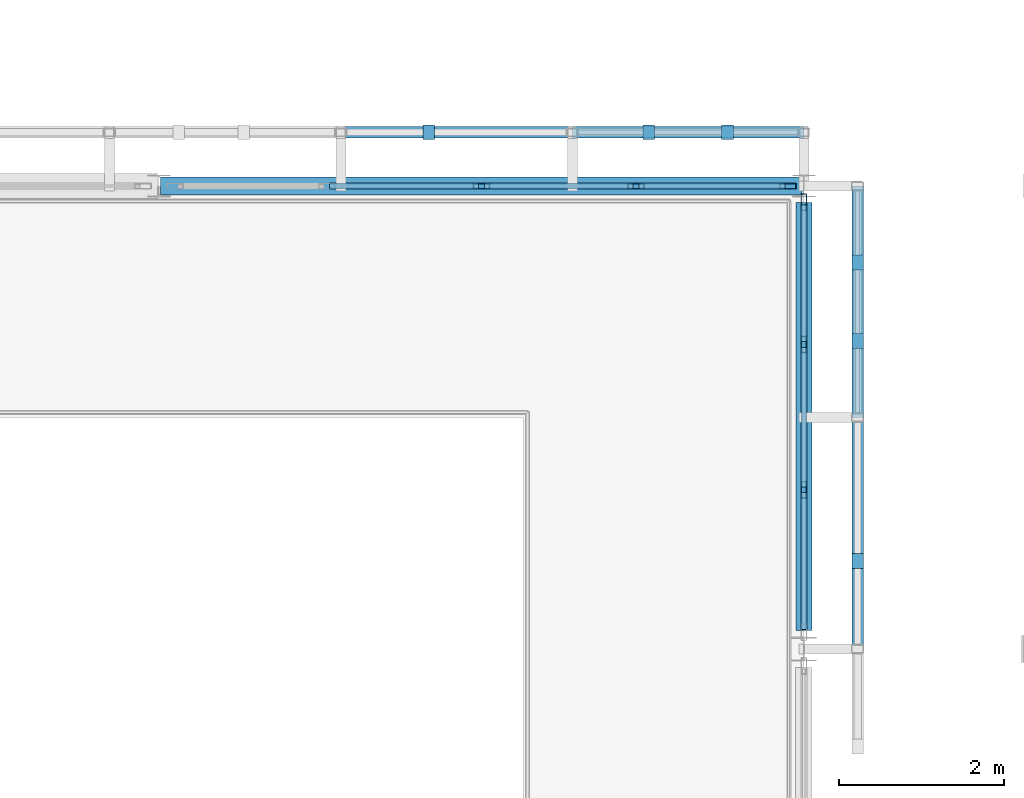
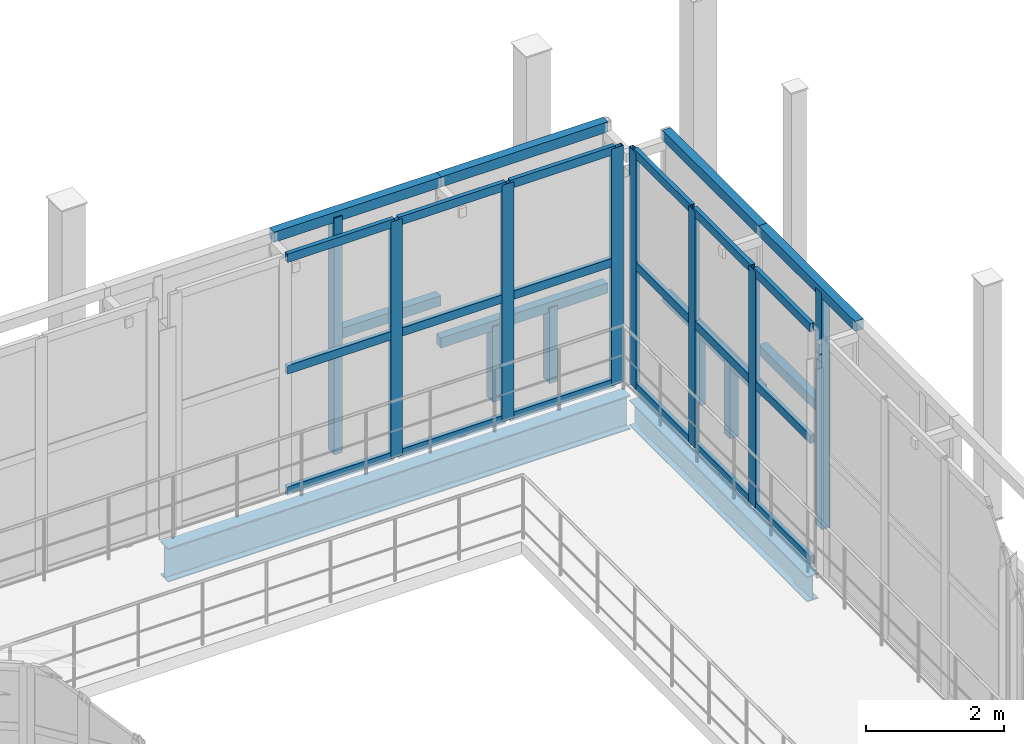
# One storey, part 40 of 78: 38 members, 2 beams, 2 elements without a shape of their own.
"""IFC4 building model written with IfcOpenShell, lengths in metres."""

from ifc_helpers import new_model, si_unit, direction, frame, origin, origin_2d, place, context, subcontext, project, spatial, rectangle, hollow_rectangle, i_section, extrude, material, layer, layer_set, material_profile, profile_set, type_object, element, aggregate, save


model = new_model("IFC4")

# Units and contexts
model_context = context("Model", 3, precision=1e-05, world=origin(), true_north=direction((0.0, 1.0)))
body_context = subcontext(model_context, "Body", "Model", "MODEL_VIEW")
ifc_project = project(units=[si_unit("LENGTHUNIT", "METRE"), si_unit("AREAUNIT", "SQUARE_METRE"), si_unit("VOLUMEUNIT", "CUBIC_METRE"), si_unit("PLANEANGLEUNIT", "RADIAN"), si_unit("MASSUNIT", "GRAM", prefix="KILO")], contexts=[model_context])

# Site, building, storey
site_placement = place(None, origin())
site = spatial("IfcSite", under=ifc_project, at=site_placement, CompositionType="ELEMENT")
building_placement = place(site_placement, origin())
building = spatial("IfcBuilding", under=site, at=building_placement, Name="Vinh Khe Railworks Police Headquarters", CompositionType="ELEMENT")
storey_placement = place(building_placement, frame((0.0, 0.0, 13.199951171875)))
storey = spatial("IfcBuildingStorey", under=building, at=storey_placement, Name="L03", CompositionType="ELEMENT", Elevation=13.199951171875)

# Members
ifc_material_1 = material(Name="Salvaged ironwood timber", Category="wood")
ifc_material_profile_1 = material_profile(ifc_material_1, rectangle(XDim=0.139892578125, YDim=0.179931640625, at=origin_2d()), Name="TIMBER 140x180")
ifc_profile_set_1 = profile_set([ifc_material_profile_1], Name="Salvaged ironwood timber")
member_type_1 = type_object("IfcMemberType", Name="MEM-QUILT-STILE", PredefinedType="CHORD", material=ifc_profile_set_1)
member_1_placement = place(storey_placement, frame((54.39990234375, 59.449951171875, 4.1201171875), z_axis=(1.0, 0.0, 0.0), x_axis=(0.0, 1.0, 0.0)))
element("IfcMember", 1, at=member_1_placement, inside=storey, type_object=member_type_1, Name="Salvaged Timber Quilt Transom N-L03-10-TOP", PredefinedType="CHORD", context=body_context, shape_type="SweptSolid", body=[
    extrude(rectangle(XDim=0.139892578125, YDim=0.179931640625, at=origin_2d()), origin(), (0.0, 0.0, 1.0), 2.800048828125),
])
member_2_placement = place(storey_placement, frame((55.464111328125, 59.449951171875, -0.079833984375), z_axis=(0.0, 0.0, 1.0), x_axis=(1.0, 0.0, 0.0)))
element("IfcMember", 2, at=member_2_placement, inside=storey, type_object=member_type_1, Name="Salvaged Timber Quilt Stile N-L03-10-V1", PredefinedType="POST", context=body_context, shape_type="SweptSolid", body=[
    extrude(rectangle(XDim=0.139892578125, YDim=0.179931640625, at=origin_2d()), origin(), (0.0, 0.0, 1.0), 4.199951171875),
])
member_3_placement = place(storey_placement, frame((55.464111328125, 59.449951171875, 2.01611328125), z_axis=(1.0, 0.0, 0.0), x_axis=(0.0, 1.0, 0.0)))
element("IfcMember", 3, at=member_3_placement, inside=storey, type_object=member_type_1, Name="Salvaged Timber Quilt Transom N-L03-10-M1", PredefinedType="CHORD", context=body_context, shape_type="SweptSolid", body=[
    extrude(rectangle(XDim=0.139892578125, YDim=0.179931640625, at=origin_2d()), origin(), (0.0, 0.0, 1.0), 1.73583984375),
])
for number, where, z_axis, x_axis, name in (
    (4, (57.199951171875, 59.449951171875, 4.1201171875), (1.0, 0.0, 0.0), (0.0, 1.0, 0.0), "Salvaged Timber Quilt Transom N-L03-11-TOP"),
    (5, (57.199951171875, 59.449951171875, 1.260009765625), (1.0, 0.0, 0.0), (0.0, 1.0, 0.0), "Salvaged Timber Quilt Transom N-L03-11-M1"),
):
    element("IfcMember", number, at=place(storey_placement, frame(where, z_axis=z_axis, x_axis=x_axis)), inside=storey, type_object=member_type_1, Name=name, PredefinedType="CHORD", context=body_context, shape_type="SweptSolid", body=[
        extrude(rectangle(XDim=0.139892578125, YDim=0.179931640625, at=origin_2d()), origin(), (0.0, 0.0, 1.0), 2.800048828125),
    ])
for number, where, z_axis, x_axis, name in (
    (6, (58.1240234375, 59.449951171875, -0.079833984375), (0.0, 0.0, 1.0), (1.0, 0.0, 0.0), "Salvaged Timber Quilt Stile N-L03-11-V1"),
    (7, (59.075927734375, 59.449951171875, -0.079833984375), (0.0, 0.0, 1.0), (1.0, 0.0, 0.0), "Salvaged Timber Quilt Stile N-L03-11-V2"),
):
    element("IfcMember", number, at=place(storey_placement, frame(where, z_axis=z_axis, x_axis=x_axis)), inside=storey, type_object=member_type_1, Name=name, PredefinedType="POST", context=body_context, shape_type="SweptSolid", body=[
        extrude(rectangle(XDim=0.139892578125, YDim=0.179931640625, at=origin_2d()), origin(), (0.0, 0.0, 1.0), 1.33984375),
    ])
member_4_placement = place(storey_placement, frame((60.64990234375, 53.199951171875, 4.1201171875), z_axis=(0.0, 1.0, 0.0), x_axis=(-1.0, 0.0, 0.0)))
element("IfcMember", 8, at=member_4_placement, inside=storey, type_object=member_type_1, Name="Salvaged Timber Quilt Transom E-L03-10-TOP", PredefinedType="CHORD", context=body_context, shape_type="SweptSolid", body=[
    extrude(rectangle(XDim=0.139892578125, YDim=0.179931640625, at=origin_2d()), origin(), (0.0, 0.0, 1.0), 2.800048828125),
])
member_5_placement = place(storey_placement, frame((60.64990234375, 54.263916015625, -0.079833984375), z_axis=(0.0, 0.0, 1.0), x_axis=(1.0, 0.0, 0.0)))
element("IfcMember", 9, at=member_5_placement, inside=storey, type_object=member_type_1, Name="Salvaged Timber Quilt Stile E-L03-10-V1", PredefinedType="POST", context=body_context, shape_type="SweptSolid", body=[
    extrude(rectangle(XDim=0.139892578125, YDim=0.179931640625, at=origin_2d()), origin(), (0.0, 0.0, 1.0), 4.199951171875),
])
member_6_placement = place(storey_placement, frame((60.64990234375, 54.263916015625, 2.01611328125), z_axis=(0.0, 1.0, 0.0), x_axis=(-1.0, 0.0, 0.0)))
element("IfcMember", 10, at=member_6_placement, inside=storey, type_object=member_type_1, Name="Salvaged Timber Quilt Transom E-L03-10-M1", PredefinedType="CHORD", context=body_context, shape_type="SweptSolid", body=[
    extrude(rectangle(XDim=0.139892578125, YDim=0.179931640625, at=origin_2d()), origin(), (0.0, 0.0, 1.0), 1.736083984375),
])
for number, where, z_axis, x_axis, name in (
    (11, (60.64990234375, 56.0, 4.1201171875), (0.0, 1.0, 0.0), (-1.0, 0.0, 0.0), "Salvaged Timber Quilt Transom E-L03-11-TOP"),
    (12, (60.64990234375, 56.0, 1.260009765625), (0.0, 1.0, 0.0), (-1.0, 0.0, 0.0), "Salvaged Timber Quilt Transom E-L03-11-M1"),
):
    element("IfcMember", number, at=place(storey_placement, frame(where, z_axis=z_axis, x_axis=x_axis)), inside=storey, type_object=member_type_1, Name=name, PredefinedType="CHORD", context=body_context, shape_type="SweptSolid", body=[
        extrude(rectangle(XDim=0.139892578125, YDim=0.179931640625, at=origin_2d()), origin(), (0.0, 0.0, 1.0), 2.800048828125),
    ])
for number, where, z_axis, x_axis, name in (
    (13, (60.64990234375, 56.924072265625, -0.079833984375), (0.0, 0.0, 1.0), (1.0, 0.0, 0.0), "Salvaged Timber Quilt Stile E-L03-11-V1"),
    (14, (60.64990234375, 57.8759765625, -0.079833984375), (0.0, 0.0, 1.0), (1.0, 0.0, 0.0), "Salvaged Timber Quilt Stile E-L03-11-V2"),
):
    element("IfcMember", number, at=place(storey_placement, frame(where, z_axis=z_axis, x_axis=x_axis)), inside=storey, type_object=member_type_1, Name=name, PredefinedType="POST", context=body_context, shape_type="SweptSolid", body=[
        extrude(rectangle(XDim=0.139892578125, YDim=0.179931640625, at=origin_2d()), origin(), (0.0, 0.0, 1.0), 1.33984375),
    ])

# Curtain wall, members
ifc_material_2 = material(Name="Anodised aluminium and low-iron glass", Category="aluminium")
ifc_layer = layer(ifc_material_2, 0.179931640625)
ifc_layer_set = layer_set([ifc_layer], Name="Anodised aluminium and low-iron glass")
curtain_wall_type = type_object("IfcCurtainWallType", Name="CW-CUBE-UNIT", PredefinedType="USERDEFINED", material=ifc_layer_set)
curtain_wall_1_placement = place(storey_placement, origin())
curtain_wall_1 = element("IfcCurtainWall", 15, at=curtain_wall_1_placement, inside=storey, type_object=curtain_wall_type, Name="Entrance Hall Curtain Wall L03 N-5", ObjectType="UNITISED GLAZING", PredefinedType="USERDEFINED")
ifc_material_3 = material(Name="Anodised aluminium 6063-T6", Category="aluminium")
ifc_material_profile_2 = material_profile(ifc_material_3, hollow_rectangle(XDim=0.070068359375, YDim=0.199951171875, WallThickness=0.0048828125, at=origin_2d()), Name="CW-M 70x200x5")
ifc_profile_set_2 = profile_set([ifc_material_profile_2], Name="Anodised aluminium 6063-T6")
member_type_2 = type_object("IfcMemberType", Name="MULL-CWM-03", PredefinedType="MULLION", material=ifc_profile_set_2)
member_7_placement = place(storey_placement, frame((56.10009765625, 58.800048828125, 0.0), z_axis=(0.0, 0.0, 1.0), x_axis=(0.0, 1.0, 0.0)))
member_7 = element("IfcMember", 16, at=member_7_placement, type_object=member_type_2, Name="CW-01 mullion 3", PredefinedType="MULLION", context=body_context, shape_type="SweptSolid", body=[
    extrude(hollow_rectangle(XDim=0.070068359375, YDim=0.199951171875, WallThickness=0.0048828125, at=origin_2d()), origin(), (0.0, 0.0, 1.0), 4.199951171875),
])
member_8_placement = place(storey_placement, frame((57.969970703125, 58.800048828125, 0.0), z_axis=(0.0, 0.0, 1.0), x_axis=(0.0, 1.0, 0.0)))
member_8 = element("IfcMember", 17, at=member_8_placement, type_object=member_type_2, Name="CW-01 mullion 4", PredefinedType="MULLION", context=body_context, shape_type="SweptSolid", body=[
    extrude(hollow_rectangle(XDim=0.070068359375, YDim=0.199951171875, WallThickness=0.0048828125, at=origin_2d()), origin(), (0.0, 0.0, 1.0), 4.199951171875),
])
member_9_placement = place(storey_placement, frame((59.804931640625, 58.800048828125, 0.0), z_axis=(0.0, 0.0, 1.0), x_axis=(0.0, 1.0, 0.0)))
member_9 = element("IfcMember", 18, at=member_9_placement, type_object=member_type_2, Name="CW-01 mullion 5", PredefinedType="MULLION", context=body_context, shape_type="SweptSolid", body=[
    extrude(hollow_rectangle(XDim=0.070068359375, YDim=0.199951171875, WallThickness=0.0048828125, at=origin_2d()), origin(), (0.0, 0.0, 1.0), 4.199951171875),
])

curtain_wall_2_placement = place(storey_placement, origin())
curtain_wall_2 = element("IfcCurtainWall", 19, at=curtain_wall_2_placement, inside=storey, type_object=curtain_wall_type, Name="Entrance Hall Curtain Wall L03 E-6", ObjectType="UNITISED GLAZING", PredefinedType="USERDEFINED")
member_10_placement = place(storey_placement, frame((60.0, 55.126708984375, 0.0), z_axis=(0.0, 0.0, 1.0), x_axis=(-1.0, 0.0, 0.0)))
member_10 = element("IfcMember", 20, at=member_10_placement, type_object=member_type_2, Name="CW-01 mullion 2", PredefinedType="MULLION", context=body_context, shape_type="SweptSolid", body=[
    extrude(hollow_rectangle(XDim=0.070068359375, YDim=0.199951171875, WallThickness=0.0048828125, at=origin_2d()), origin(), (0.0, 0.0, 1.0), 4.199951171875),
])
member_11_placement = place(storey_placement, frame((60.0, 56.88330078125, 0.0), z_axis=(0.0, 0.0, 1.0), x_axis=(-1.0, 0.0, 0.0)))
member_11 = element("IfcMember", 21, at=member_11_placement, type_object=member_type_2, Name="CW-01 mullion 3", PredefinedType="MULLION", context=body_context, shape_type="SweptSolid", body=[
    extrude(hollow_rectangle(XDim=0.070068359375, YDim=0.199951171875, WallThickness=0.0048828125, at=origin_2d()), origin(), (0.0, 0.0, 1.0), 4.199951171875),
])
member_12_placement = place(storey_placement, frame((60.0, 58.60498046875, 0.0), z_axis=(0.0, 0.0, 1.0), x_axis=(-1.0, 0.0, 0.0)))
member_12 = element("IfcMember", 22, at=member_12_placement, type_object=member_type_2, Name="CW-01 mullion 4", PredefinedType="MULLION", context=body_context, shape_type="SweptSolid", body=[
    extrude(hollow_rectangle(XDim=0.070068359375, YDim=0.199951171875, WallThickness=0.0048828125, at=origin_2d()), origin(), (0.0, 0.0, 1.0), 4.199951171875),
])

# Beams
ifc_material_4 = material(Name="Steel S355JR", Category="steel")
ifc_material_profile_3 = material_profile(ifc_material_4, i_section(OverallWidth=0.18994140625, OverallDepth=0.449951171875, WebThickness=0.009521484375, FlangeThickness=0.0146484375, FilletRadius=0.02099609375, at=origin_2d()), Name="IPE 450")
ifc_profile_set_3 = profile_set([ifc_material_profile_3], Name="Steel S355JR")
beam_type_1 = type_object("IfcBeamType", Name="Steel Girder IPE 450", PredefinedType="BEAM", material=ifc_profile_set_3)
beam_1_placement = place(storey_placement, frame((60.0, 53.425048828125, -0.445068359375), z_axis=(0.0, 1.0, 0.0), x_axis=(-1.0, 0.0, 0.0)))
element("IfcBeam", 23, at=beam_1_placement, inside=storey, type_object=beam_type_1, Name="Girder BM-L03-NS-SB-20-1224", PredefinedType="BEAM", context=body_context, shape_type="SweptSolid", body=[
    extrude(i_section(OverallWidth=0.18994140625, OverallDepth=0.449951171875, WebThickness=0.009521484375, FlangeThickness=0.0146484375, FilletRadius=0.02099609375, at=origin_2d()), origin(), (0.0, 0.0, 1.0), 5.175048828125),
])
ifc_material_profile_4 = material_profile(ifc_material_4, i_section(OverallWidth=0.219970703125, OverallDepth=0.60009765625, WebThickness=0.011962890625, FlangeThickness=0.01904296875, FilletRadius=0.02392578125, at=origin_2d()), Name="IPE 600")
ifc_profile_set_4 = profile_set([ifc_material_profile_4], Name="Steel S355JR")
beam_type_2 = type_object("IfcBeamType", Name="Steel Girder IPE 600", PredefinedType="BEAM", material=ifc_profile_set_4)
beam_2_placement = place(storey_placement, frame((52.219970703125, 58.800048828125, -0.52001953125), z_axis=(1.0, 0.0, 0.0), x_axis=(0.0, 1.0, 0.0)))
element("IfcBeam", 24, at=beam_2_placement, inside=storey, type_object=beam_type_2, Name="Girder BM-L03-EW-SB-17-1065", PredefinedType="BEAM", context=body_context, shape_type="SweptSolid", body=[
    extrude(i_section(OverallWidth=0.219970703125, OverallDepth=0.60009765625, WebThickness=0.011962890625, FlangeThickness=0.01904296875, FilletRadius=0.02392578125, at=origin_2d()), origin(), (0.0, 0.0, 1.0), 7.760009765625),
])

# Member
ifc_material_profile_5 = material_profile(ifc_material_3, hollow_rectangle(XDim=0.070068359375, YDim=0.14990234375, WallThickness=0.0048828125, at=origin_2d()), Name="CW-T 70x150x5")
ifc_profile_set_5 = profile_set([ifc_material_profile_5], Name="Anodised aluminium 6063-T6")
member_type_3 = type_object("IfcMemberType", Name="TRAN-CWT-03", PredefinedType="USERDEFINED", material=ifc_profile_set_5)
member_13_placement = place(storey_placement, frame((54.264892578125, 58.800048828125, 0.03515625), z_axis=(1.0, 0.0, 0.0), x_axis=(0.0, 1.0, 0.0)))
member_13 = element("IfcMember", 25, at=member_13_placement, type_object=member_type_3, Name="CW-01 transom 2.1", ObjectType="TRANSOM", PredefinedType="USERDEFINED", context=body_context, shape_type="SweptSolid", body=[
    extrude(hollow_rectangle(XDim=0.070068359375, YDim=0.14990234375, WallThickness=0.0048828125, at=origin_2d()), origin(), (0.0, 0.0, 1.0), 1.800048828125),
])

member_14_placement = place(storey_placement, frame((54.264892578125, 58.800048828125, 2.18408203125), z_axis=(1.0, 0.0, 0.0), x_axis=(0.0, 1.0, 0.0)))
member_14 = element("IfcMember", 26, at=member_14_placement, type_object=member_type_3, Name="CW-01 transom 2.2", ObjectType="TRANSOM", PredefinedType="USERDEFINED", context=body_context, shape_type="SweptSolid", body=[
    extrude(hollow_rectangle(XDim=0.070068359375, YDim=0.14990234375, WallThickness=0.0048828125, at=origin_2d()), origin(), (0.0, 0.0, 1.0), 1.800048828125),
])

member_15_placement = place(storey_placement, frame((54.264892578125, 58.800048828125, 4.1650390625), z_axis=(1.0, 0.0, 0.0), x_axis=(0.0, 1.0, 0.0)))
member_15 = element("IfcMember", 27, at=member_15_placement, type_object=member_type_3, Name="CW-01 transom 2.3", ObjectType="TRANSOM", PredefinedType="USERDEFINED", context=body_context, shape_type="SweptSolid", body=[
    extrude(hollow_rectangle(XDim=0.070068359375, YDim=0.14990234375, WallThickness=0.0048828125, at=origin_2d()), origin(), (0.0, 0.0, 1.0), 1.800048828125),
])

member_16_placement = place(storey_placement, frame((56.135009765625, 58.800048828125, 0.03515625), z_axis=(1.0, 0.0, 0.0), x_axis=(0.0, 1.0, 0.0)))
member_16 = element("IfcMember", 28, at=member_16_placement, type_object=member_type_3, Name="CW-01 transom 3.1", ObjectType="TRANSOM", PredefinedType="USERDEFINED", context=body_context, shape_type="SweptSolid", body=[
    extrude(hollow_rectangle(XDim=0.070068359375, YDim=0.14990234375, WallThickness=0.0048828125, at=origin_2d()), origin(), (0.0, 0.0, 1.0), 1.800048828125),
])

member_17_placement = place(storey_placement, frame((56.135009765625, 58.800048828125, 2.18408203125), z_axis=(1.0, 0.0, 0.0), x_axis=(0.0, 1.0, 0.0)))
member_17 = element("IfcMember", 29, at=member_17_placement, type_object=member_type_3, Name="CW-01 transom 3.2", ObjectType="TRANSOM", PredefinedType="USERDEFINED", context=body_context, shape_type="SweptSolid", body=[
    extrude(hollow_rectangle(XDim=0.070068359375, YDim=0.14990234375, WallThickness=0.0048828125, at=origin_2d()), origin(), (0.0, 0.0, 1.0), 1.800048828125),
])

member_18_placement = place(storey_placement, frame((56.135009765625, 58.800048828125, 4.1650390625), z_axis=(1.0, 0.0, 0.0), x_axis=(0.0, 1.0, 0.0)))
member_18 = element("IfcMember", 30, at=member_18_placement, type_object=member_type_3, Name="CW-01 transom 3.3", ObjectType="TRANSOM", PredefinedType="USERDEFINED", context=body_context, shape_type="SweptSolid", body=[
    extrude(hollow_rectangle(XDim=0.070068359375, YDim=0.14990234375, WallThickness=0.0048828125, at=origin_2d()), origin(), (0.0, 0.0, 1.0), 1.800048828125),
])

member_19_placement = place(storey_placement, frame((58.0048828125, 58.800048828125, 0.03515625), z_axis=(1.0, 0.0, 0.0), x_axis=(0.0, 1.0, 0.0)))
member_19 = element("IfcMember", 31, at=member_19_placement, type_object=member_type_3, Name="CW-01 transom 4.1", ObjectType="TRANSOM", PredefinedType="USERDEFINED", context=body_context, shape_type="SweptSolid", body=[
    extrude(hollow_rectangle(XDim=0.070068359375, YDim=0.14990234375, WallThickness=0.0048828125, at=origin_2d()), origin(), (0.0, 0.0, 1.0), 1.76513671875),
])

member_20_placement = place(storey_placement, frame((58.0048828125, 58.800048828125, 2.18408203125), z_axis=(1.0, 0.0, 0.0), x_axis=(0.0, 1.0, 0.0)))
member_20 = element("IfcMember", 32, at=member_20_placement, type_object=member_type_3, Name="CW-01 transom 4.2", ObjectType="TRANSOM", PredefinedType="USERDEFINED", context=body_context, shape_type="SweptSolid", body=[
    extrude(hollow_rectangle(XDim=0.070068359375, YDim=0.14990234375, WallThickness=0.0048828125, at=origin_2d()), origin(), (0.0, 0.0, 1.0), 1.76513671875),
])

member_21_placement = place(storey_placement, frame((58.0048828125, 58.800048828125, 4.1650390625), z_axis=(1.0, 0.0, 0.0), x_axis=(0.0, 1.0, 0.0)))
member_21 = element("IfcMember", 33, at=member_21_placement, type_object=member_type_3, Name="CW-01 transom 4.3", ObjectType="TRANSOM", PredefinedType="USERDEFINED", context=body_context, shape_type="SweptSolid", body=[
    extrude(hollow_rectangle(XDim=0.070068359375, YDim=0.14990234375, WallThickness=0.0048828125, at=origin_2d()), origin(), (0.0, 0.0, 1.0), 1.76513671875),
])

aggregate(curtain_wall_1, [member_7, member_8, member_9, member_13, member_14, member_15, member_16, member_17, member_18, member_19, member_20, member_21])

member_22_placement = place(storey_placement, frame((60.0, 53.43994140625, 0.03515625), z_axis=(0.0, 1.0, 0.0), x_axis=(-1.0, 0.0, 0.0)))
member_22 = element("IfcMember", 34, at=member_22_placement, type_object=member_type_3, Name="CW-01 transom 1.1", ObjectType="TRANSOM", PredefinedType="USERDEFINED", context=body_context, shape_type="SweptSolid", body=[
    extrude(hollow_rectangle(XDim=0.070068359375, YDim=0.14990234375, WallThickness=0.0048828125, at=origin_2d()), origin(), (0.0, 0.0, 1.0), 1.651611328125),
])

member_23_placement = place(storey_placement, frame((60.0, 53.43994140625, 2.18408203125), z_axis=(0.0, 1.0, 0.0), x_axis=(-1.0, 0.0, 0.0)))
member_23 = element("IfcMember", 35, at=member_23_placement, type_object=member_type_3, Name="CW-01 transom 1.2", ObjectType="TRANSOM", PredefinedType="USERDEFINED", context=body_context, shape_type="SweptSolid", body=[
    extrude(hollow_rectangle(XDim=0.070068359375, YDim=0.14990234375, WallThickness=0.0048828125, at=origin_2d()), origin(), (0.0, 0.0, 1.0), 1.651611328125),
])

member_24_placement = place(storey_placement, frame((60.0, 53.43994140625, 4.1650390625), z_axis=(0.0, 1.0, 0.0), x_axis=(-1.0, 0.0, 0.0)))
member_24 = element("IfcMember", 36, at=member_24_placement, type_object=member_type_3, Name="CW-01 transom 1.3", ObjectType="TRANSOM", PredefinedType="USERDEFINED", context=body_context, shape_type="SweptSolid", body=[
    extrude(hollow_rectangle(XDim=0.070068359375, YDim=0.14990234375, WallThickness=0.0048828125, at=origin_2d()), origin(), (0.0, 0.0, 1.0), 1.651611328125),
])

member_25_placement = place(storey_placement, frame((60.0, 55.16162109375, 0.03515625), z_axis=(0.0, 1.0, 0.0), x_axis=(-1.0, 0.0, 0.0)))
member_25 = element("IfcMember", 37, at=member_25_placement, type_object=member_type_3, Name="CW-01 transom 2.1", ObjectType="TRANSOM", PredefinedType="USERDEFINED", context=body_context, shape_type="SweptSolid", body=[
    extrude(hollow_rectangle(XDim=0.070068359375, YDim=0.14990234375, WallThickness=0.0048828125, at=origin_2d()), origin(), (0.0, 0.0, 1.0), 1.686767578125),
])

member_26_placement = place(storey_placement, frame((60.0, 55.16162109375, 2.18408203125), z_axis=(0.0, 1.0, 0.0), x_axis=(-1.0, 0.0, 0.0)))
member_26 = element("IfcMember", 38, at=member_26_placement, type_object=member_type_3, Name="CW-01 transom 2.2", ObjectType="TRANSOM", PredefinedType="USERDEFINED", context=body_context, shape_type="SweptSolid", body=[
    extrude(hollow_rectangle(XDim=0.070068359375, YDim=0.14990234375, WallThickness=0.0048828125, at=origin_2d()), origin(), (0.0, 0.0, 1.0), 1.686767578125),
])

member_27_placement = place(storey_placement, frame((60.0, 55.16162109375, 4.1650390625), z_axis=(0.0, 1.0, 0.0), x_axis=(-1.0, 0.0, 0.0)))
member_27 = element("IfcMember", 39, at=member_27_placement, type_object=member_type_3, Name="CW-01 transom 2.3", ObjectType="TRANSOM", PredefinedType="USERDEFINED", context=body_context, shape_type="SweptSolid", body=[
    extrude(hollow_rectangle(XDim=0.070068359375, YDim=0.14990234375, WallThickness=0.0048828125, at=origin_2d()), origin(), (0.0, 0.0, 1.0), 1.686767578125),
])

member_28_placement = place(storey_placement, frame((60.0, 56.918212890625, 0.03515625), z_axis=(0.0, 1.0, 0.0), x_axis=(-1.0, 0.0, 0.0)))
member_28 = element("IfcMember", 40, at=member_28_placement, type_object=member_type_3, Name="CW-01 transom 3.1", ObjectType="TRANSOM", PredefinedType="USERDEFINED", context=body_context, shape_type="SweptSolid", body=[
    extrude(hollow_rectangle(XDim=0.070068359375, YDim=0.14990234375, WallThickness=0.0048828125, at=origin_2d()), origin(), (0.0, 0.0, 1.0), 1.65185546875),
])

member_29_placement = place(storey_placement, frame((60.0, 56.918212890625, 2.18408203125), z_axis=(0.0, 1.0, 0.0), x_axis=(-1.0, 0.0, 0.0)))
member_29 = element("IfcMember", 41, at=member_29_placement, type_object=member_type_3, Name="CW-01 transom 3.2", ObjectType="TRANSOM", PredefinedType="USERDEFINED", context=body_context, shape_type="SweptSolid", body=[
    extrude(hollow_rectangle(XDim=0.070068359375, YDim=0.14990234375, WallThickness=0.0048828125, at=origin_2d()), origin(), (0.0, 0.0, 1.0), 1.65185546875),
])

member_30_placement = place(storey_placement, frame((60.0, 56.918212890625, 4.1650390625), z_axis=(0.0, 1.0, 0.0), x_axis=(-1.0, 0.0, 0.0)))
member_30 = element("IfcMember", 42, at=member_30_placement, type_object=member_type_3, Name="CW-01 transom 3.3", ObjectType="TRANSOM", PredefinedType="USERDEFINED", context=body_context, shape_type="SweptSolid", body=[
    extrude(hollow_rectangle(XDim=0.070068359375, YDim=0.14990234375, WallThickness=0.0048828125, at=origin_2d()), origin(), (0.0, 0.0, 1.0), 1.65185546875),
])

aggregate(curtain_wall_2, [member_10, member_11, member_12, member_22, member_23, member_24, member_25, member_26, member_27, member_28, member_29, member_30])

save(model, "model.ifc")
